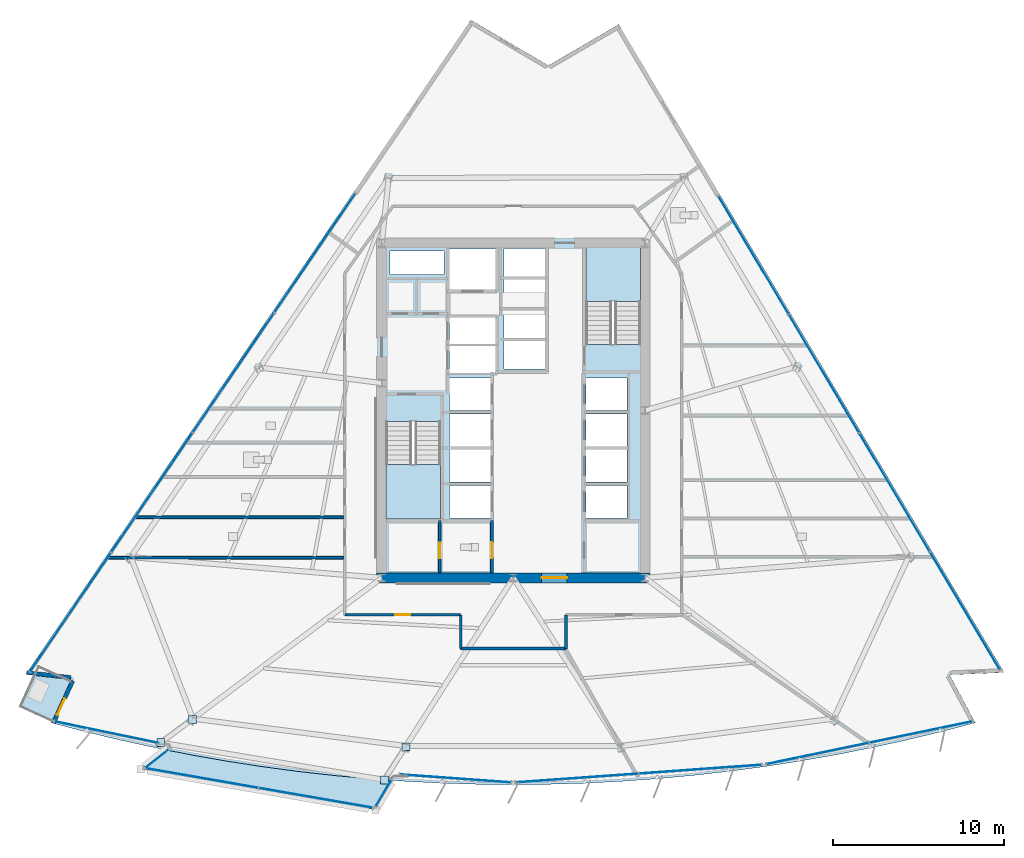
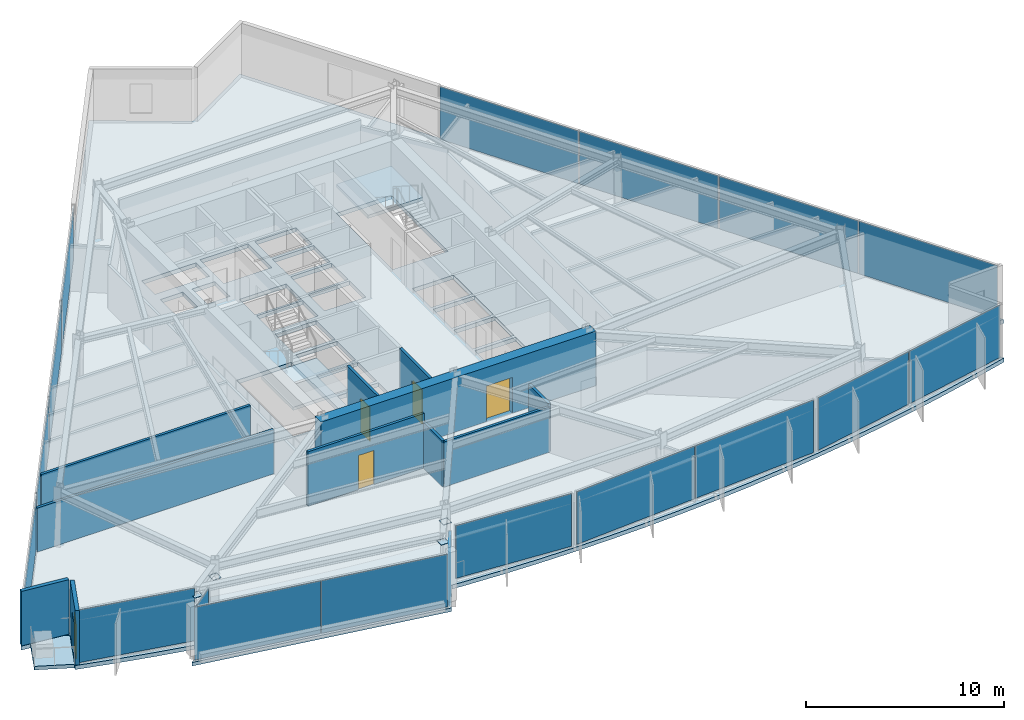
# One storey, part 7 of 15: 22 plates, 11 walls, 5 doors, 5 slabs, 5 openings, 11 elements without a shape of their own.
"""IFC4 building model written with IfcOpenShell, lengths in metres."""

from ifc_helpers import new_model, si_unit, direction, frame, frame_2d, origin, origin_2d, place, context, subcontext, project, spatial, polyline, rectangle, outline, extrude, material, layer, layer_set, type_object, element, fill, aggregate, save


model = new_model("IFC4")

# Units and contexts
model_context = context("Model", 3, precision=1e-05, world=origin(), true_north=direction((0.0, 1.0)))
body_context = subcontext(model_context, "Body", "Model", "MODEL_VIEW")
ifc_project = project(units=[si_unit("LENGTHUNIT", "METRE"), si_unit("AREAUNIT", "SQUARE_METRE"), si_unit("VOLUMEUNIT", "CUBIC_METRE"), si_unit("PLANEANGLEUNIT", "RADIAN"), si_unit("MASSUNIT", "GRAM", prefix="KILO")], contexts=[model_context])

# Site, building, storey
site_placement = place(None, origin())
site = spatial("IfcSite", under=ifc_project, at=site_placement, CompositionType="ELEMENT")
building_placement = place(site_placement, origin())
building = spatial("IfcBuilding", under=site, at=building_placement, Name="Savorim Split Tower", CompositionType="ELEMENT")
storey_placement = place(building_placement, frame((0.0, 0.0, 104.10009765625)))
storey = spatial("IfcBuildingStorey", under=building, at=storey_placement, Name="L27", CompositionType="ELEMENT", Elevation=104.10009765625)

# Curtain wall, plate
ifc_material_1 = material(Name="Dark Ceramic-Fritted Insulated Glass", Category="glass")
curtain_wall_type_1 = type_object("IfcCurtainWallType", Name="CW-TWR-FRIT-A", PredefinedType="NOTDEFINED", material=ifc_material_1)
curtain_wall_1_placement = place(storey_placement, origin())
curtain_wall_1 = element("IfcCurtainWall", 1, at=curtain_wall_1_placement, inside=storey, type_object=curtain_wall_type_1, Name="L27 Curtain Wall CW-L27-SF1A", PredefinedType="NOTDEFINED")
ifc_layer_1 = layer(ifc_material_1, 0.028076171875)
ifc_layer_set_1 = layer_set([ifc_layer_1], Name="CWP-FRITA-28")
plate_type_1 = type_object("IfcPlateType", Name="CWP-FRITA-28", PredefinedType="CURTAIN_PANEL", material=ifc_layer_set_1)
plate_1_placement = place(storey_placement, frame((-23.8056640625, -18.43115234375, 0.0546875), z_axis=(0.0, 0.0, 1.0), x_axis=(0.979133423629, -0.20321845077, 0.0)))
plate_1 = element("IfcPlate", 2, at=plate_1_placement, type_object=plate_type_1, Name="CW-02 panel 1.1", PredefinedType="CURTAIN_PANEL", context=body_context, shape_type="SweptSolid", body=[
    extrude(rectangle(XDim=6.22021484375, YDim=0.028076171875, at=origin_2d()), origin(), (0.0, 0.0, 1.0), 3.239990234375),
])
aggregate(curtain_wall_1, [plate_1])

curtain_wall_2_placement = place(storey_placement, origin())
curtain_wall_2 = element("IfcCurtainWall", 3, at=curtain_wall_2_placement, inside=storey, type_object=curtain_wall_type_1, Name="L27 Curtain Wall CW-L27-SF2A", PredefinedType="NOTDEFINED")
plate_2_placement = place(storey_placement, frame((-3.3857421875, -21.1376953125, 0.0546875), z_axis=(0.0, 0.0, 1.0), x_axis=(0.997435673232, -0.071568692624, 0.0)))
plate_2 = element("IfcPlate", 4, at=plate_2_placement, type_object=plate_type_1, Name="CW-02 panel 1.1", PredefinedType="CURTAIN_PANEL", context=body_context, shape_type="SweptSolid", body=[
    extrude(rectangle(XDim=6.476318359375, YDim=0.028076171875, at=origin_2d()), origin(), (0.0, 0.0, 1.0), 3.239990234375),
])
aggregate(curtain_wall_2, [plate_2])

# Curtain wall, plates
curtain_wall_3_placement = place(storey_placement, origin())
curtain_wall_3 = element("IfcCurtainWall", 5, at=curtain_wall_3_placement, inside=storey, type_object=curtain_wall_type_1, Name="L27 Curtain Wall CW-L27-SF3A", PredefinedType="NOTDEFINED")
plate_3_placement = place(storey_placement, frame((3.727783203125, -21.113037109375, 0.0546875), z_axis=(0.0, 0.0, 1.0), x_axis=(0.99743613418, 0.071562268211, 0.0)))
plate_3 = element("IfcPlate", 6, at=plate_3_placement, type_object=plate_type_1, Name="CW-02 panel 1.1", PredefinedType="CURTAIN_PANEL", context=body_context, shape_type="SweptSolid", body=[
    extrude(rectangle(XDim=7.161865234375, YDim=0.028076171875, at=origin_2d()), origin(), (0.0, 0.0, 1.0), 3.239990234375),
])
plate_4_placement = place(storey_placement, frame((10.936279296875, -20.595947265625, 0.0546875), z_axis=(0.0, 0.0, 1.0), x_axis=(0.99743613418, 0.071562268211, 0.0)))
plate_4 = element("IfcPlate", 7, at=plate_4_placement, type_object=plate_type_1, Name="CW-02 panel 2.1", PredefinedType="CURTAIN_PANEL", context=body_context, shape_type="SweptSolid", body=[
    extrude(rectangle(XDim=7.161865234375, YDim=0.028076171875, at=origin_2d()), origin(), (0.0, 0.0, 1.0), 3.239990234375),
])
aggregate(curtain_wall_3, [plate_3, plate_4])

curtain_wall_4_placement = place(storey_placement, origin())
curtain_wall_4 = element("IfcCurtainWall", 8, at=curtain_wall_4_placement, inside=storey, type_object=curtain_wall_type_1, Name="L27 Curtain Wall CW-L27-SF4A", PredefinedType="NOTDEFINED")
plate_5_placement = place(storey_placement, frame((17.810546875, -19.675537109375, 0.0546875), z_axis=(0.0, 0.0, 1.0), x_axis=(0.979134683898, 0.203212378529, 0.0)))
plate_5 = element("IfcPlate", 9, at=plate_5_placement, type_object=plate_type_1, Name="CW-02 panel 1.1", PredefinedType="CURTAIN_PANEL", context=body_context, shape_type="SweptSolid", body=[
    extrude(rectangle(XDim=6.112060546875, YDim=0.028076171875, at=origin_2d()), origin(), (0.0, 0.0, 1.0), 3.239990234375),
])
plate_6_placement = place(storey_placement, frame((23.858642578125, -18.420166015625, 0.0546875), z_axis=(0.0, 0.0, 1.0), x_axis=(0.979134683898, 0.203212378529, 0.0)))
plate_6 = element("IfcPlate", 10, at=plate_6_placement, type_object=plate_type_1, Name="CW-02 panel 2.1", PredefinedType="CURTAIN_PANEL", context=body_context, shape_type="SweptSolid", body=[
    extrude(rectangle(XDim=6.112060546875, YDim=0.028076171875, at=origin_2d()), origin(), (0.0, 0.0, 1.0), 3.239990234375),
])
aggregate(curtain_wall_4, [plate_5, plate_6])

curtain_wall_5_placement = place(storey_placement, origin())
curtain_wall_5 = element("IfcCurtainWall", 11, at=curtain_wall_5_placement, inside=storey, type_object=curtain_wall_type_1, Name="L27 Curtain Wall CW-L27-EAST", PredefinedType="NOTDEFINED")
plate_7_placement = place(storey_placement, frame((26.423583984375, -11.32275390625, 0.0546875), z_axis=(0.0, 0.0, 1.0), x_axis=(-0.511094481315, 0.859524537852, 0.0)))
plate_7 = element("IfcPlate", 12, at=plate_7_placement, type_object=plate_type_1, Name="CW-02 panel 1.1", PredefinedType="CURTAIN_PANEL", context=body_context, shape_type="SweptSolid", body=[
    extrude(rectangle(XDim=7.983154296875, YDim=0.028076171875, at=origin_2d()), origin(), (0.0, 0.0, 1.0), 3.239990234375),
])
plate_8_placement = place(storey_placement, frame((22.3017578125, -4.39111328125, 0.0546875), z_axis=(0.0, 0.0, 1.0), x_axis=(-0.511094481315, 0.859524537852, 0.0)))
plate_8 = element("IfcPlate", 13, at=plate_8_placement, type_object=plate_type_1, Name="CW-02 panel 2.1", PredefinedType="CURTAIN_PANEL", context=body_context, shape_type="SweptSolid", body=[
    extrude(rectangle(XDim=8.015625, YDim=0.028076171875, at=origin_2d()), origin(), (0.0, 0.0, 1.0), 3.239990234375),
])
plate_9_placement = place(storey_placement, frame((18.171630859375, 2.554443359375, 0.0546875), z_axis=(0.0, 0.0, 1.0), x_axis=(-0.511094481315, 0.859524537852, 0.0)))
plate_9 = element("IfcPlate", 14, at=plate_9_placement, type_object=plate_type_1, Name="CW-02 panel 3.1", PredefinedType="CURTAIN_PANEL", context=body_context, shape_type="SweptSolid", body=[
    extrude(rectangle(XDim=8.015625, YDim=0.028076171875, at=origin_2d()), origin(), (0.0, 0.0, 1.0), 3.239990234375),
])
plate_10_placement = place(storey_placement, frame((14.050048828125, 9.486083984375, 0.0546875), z_axis=(0.0, 0.0, 1.0), x_axis=(-0.511094481315, 0.859524537852, 0.0)))
plate_10 = element("IfcPlate", 15, at=plate_10_placement, type_object=plate_type_1, Name="CW-02 panel 4.1", PredefinedType="CURTAIN_PANEL", context=body_context, shape_type="SweptSolid", body=[
    extrude(rectangle(XDim=7.983154296875, YDim=0.028076171875, at=origin_2d()), origin(), (0.0, 0.0, 1.0), 3.239990234375),
])
aggregate(curtain_wall_5, [plate_7, plate_8, plate_9, plate_10])

curtain_wall_6_placement = place(storey_placement, origin())
curtain_wall_6 = element("IfcCurtainWall", 16, at=curtain_wall_6_placement, inside=storey, type_object=curtain_wall_type_1, Name="L27 Curtain Wall CW-L27-WEST", PredefinedType="NOTDEFINED")
plate_11_placement = place(storey_placement, frame((-11.61328125, 9.613525390625, 0.0546875), z_axis=(0.0, 0.0, 1.0), x_axis=(-0.562467515846, -0.826819383915, 0.0)))
plate_11 = element("IfcPlate", 17, at=plate_11_placement, type_object=plate_type_1, Name="CW-02 panel 1.1", PredefinedType="CURTAIN_PANEL", context=body_context, shape_type="SweptSolid", body=[
    extrude(rectangle(XDim=8.39013671875, YDim=0.028076171875, at=origin_2d()), origin(), (0.0, 0.0, 1.0), 3.239990234375),
])
plate_12_placement = place(storey_placement, frame((-16.378173828125, 2.609375, 0.0546875), z_axis=(0.0, 0.0, 1.0), x_axis=(-0.562467515846, -0.826819383915, 0.0)))
plate_12 = element("IfcPlate", 18, at=plate_12_placement, type_object=plate_type_1, Name="CW-02 panel 2.1", PredefinedType="CURTAIN_PANEL", context=body_context, shape_type="SweptSolid", body=[
    extrude(rectangle(XDim=8.422607421875, YDim=0.028076171875, at=origin_2d()), origin(), (0.0, 0.0, 1.0), 3.239990234375),
])
plate_13_placement = place(storey_placement, frame((-21.15234375, -4.408447265625, 0.0546875), z_axis=(0.0, 0.0, 1.0), x_axis=(-0.562467515846, -0.826819383915, 0.0)))
plate_13 = element("IfcPlate", 19, at=plate_13_placement, type_object=plate_type_1, Name="CW-02 panel 3.1", PredefinedType="CURTAIN_PANEL", context=body_context, shape_type="SweptSolid", body=[
    extrude(rectangle(XDim=8.422607421875, YDim=0.028076171875, at=origin_2d()), origin(), (0.0, 0.0, 1.0), 3.239990234375),
])
plate_14_placement = place(storey_placement, frame((-25.917236328125, -11.412841796875, 0.0546875), z_axis=(0.0, 0.0, 1.0), x_axis=(-0.562467515846, -0.826819383915, 0.0)))
plate_14 = element("IfcPlate", 20, at=plate_14_placement, type_object=plate_type_1, Name="CW-02 panel 4.1", PredefinedType="CURTAIN_PANEL", context=body_context, shape_type="SweptSolid", body=[
    extrude(rectangle(XDim=8.39013671875, YDim=0.028076171875, at=origin_2d()), origin(), (0.0, 0.0, 1.0), 3.239990234375),
])
aggregate(curtain_wall_6, [plate_11, plate_12, plate_13, plate_14])

curtain_wall_type_2 = type_object("IfcCurtainWallType", Name="CW-BAY-LOUNGE", PredefinedType="NOTDEFINED", material=ifc_material_1)
curtain_wall_7_placement = place(storey_placement, origin())
curtain_wall_7 = element("IfcCurtainWall", 21, at=curtain_wall_7_placement, inside=storey, type_object=curtain_wall_type_2, Name="L27 Curtain Wall CW-L27-BAYF", PredefinedType="NOTDEFINED")
ifc_material_2 = material(Name="Low-E Operable Double Glazing", Category="glass")
ifc_layer_2 = layer(ifc_material_2, 0.031982421875)
ifc_layer_set_2 = layer_set([ifc_layer_2], Name="CWP-POD-32")
plate_type_2 = type_object("IfcPlateType", Name="CWP-POD-32", PredefinedType="CURTAIN_PANEL", material=ifc_layer_set_2)
plate_15_placement = place(storey_placement, frame((-18.27587890625, -21.107421875, 0.0546875), z_axis=(0.0, 0.0, 1.0), x_axis=(0.985237783322, -0.171191443463, 0.0)))
plate_15 = element("IfcPlate", 22, at=plate_15_placement, type_object=plate_type_2, Name="CW-04 panel 1.1", PredefinedType="CURTAIN_PANEL", context=body_context, shape_type="SweptSolid", body=[
    extrude(rectangle(XDim=6.75146484375, YDim=0.031982421875, at=origin_2d()), origin(), (0.0, 0.0, 1.0), 3.239990234375),
])
plate_16_placement = place(storey_placement, frame((-11.56005859375, -22.2744140625, 0.0546875), z_axis=(0.0, 0.0, 1.0), x_axis=(0.985237783322, -0.171191443463, 0.0)))
plate_16 = element("IfcPlate", 23, at=plate_16_placement, type_object=plate_type_2, Name="CW-04 panel 2.1", PredefinedType="CURTAIN_PANEL", context=body_context, shape_type="SweptSolid", body=[
    extrude(rectangle(XDim=6.75146484375, YDim=0.031982421875, at=origin_2d()), origin(), (0.0, 0.0, 1.0), 3.239990234375),
])
aggregate(curtain_wall_7, [plate_15, plate_16])

# Curtain wall, plate
curtain_wall_8_placement = place(storey_placement, origin())
curtain_wall_8 = element("IfcCurtainWall", 24, at=curtain_wall_8_placement, inside=storey, type_object=curtain_wall_type_2, Name="L27 Curtain Wall CW-L27-BAYW", PredefinedType="NOTDEFINED")
plate_17_placement = place(storey_placement, frame((-20.85986328125, -19.976806640625, 0.0546875), z_axis=(0.0, 0.0, 1.0), x_axis=(-0.783170949136, -0.621806452547, 0.0)))
plate_17 = element("IfcPlate", 25, at=plate_17_placement, type_object=plate_type_2, Name="CW-04 panel 1.1", PredefinedType="CURTAIN_PANEL", context=body_context, shape_type="SweptSolid", body=[
    extrude(rectangle(XDim=1.705078125, YDim=0.031982421875, at=origin_2d()), origin(), (0.0, 0.0, 1.0), 3.239990234375),
])
aggregate(curtain_wall_8, [plate_17])

curtain_wall_9_placement = place(storey_placement, origin())
curtain_wall_9 = element("IfcCurtainWall", 26, at=curtain_wall_9_placement, inside=storey, type_object=curtain_wall_type_2, Name="L27 Curtain Wall CW-L27-BAYE", PredefinedType="NOTDEFINED")
plate_18_placement = place(storey_placement, frame((-7.6083984375, -22.01171875, 0.0546875), z_axis=(0.0, 0.0, 1.0), x_axis=(0.510761442098, 0.859722483867, 0.0)))
plate_18 = element("IfcPlate", 27, at=plate_18_placement, type_object=plate_type_2, Name="CW-04 panel 1.1", PredefinedType="CURTAIN_PANEL", context=body_context, shape_type="SweptSolid", body=[
    extrude(rectangle(XDim=1.81005859375, YDim=0.031982421875, at=origin_2d()), origin(), (0.0, 0.0, 1.0), 3.239990234375),
])
aggregate(curtain_wall_9, [plate_18])

# Plates
ifc_material_3 = material(Name="Steel S460", Category="steel")
ifc_layer_3 = layer(ifc_material_3, 0.02490234375)
ifc_layer_set_3 = layer_set([ifc_layer_3], Name="PLT-NODE-CN1")
plate_type_3 = type_object("IfcPlateType", Name="PLT-NODE-CN1", PredefinedType="SHEET", material=ifc_layer_set_3)
for number, where, z_axis, x_axis, name in (
    (28, (-18.77490234375, -17.676513671875, 2.4375), (0.0, 0.0, 1.0), (1.0, 0.0, 0.0), "L27 Bay Strut Column Gusset Plate 1"),
    (29, (-20.63525390625, -19.04248046875, 2.807373046875), (0.0, 0.0, 1.0), (1.0, 0.0, 0.0), "L27 Bay Strut Tip Gusset Plate 1"),
    (30, (-6.29248046875, -19.279052734375, 2.4375), (0.0, 0.0, 1.0), (1.0, 0.0, 0.0), "L27 Bay Strut Column Gusset Plate 2"),
    (31, (-7.549560546875, -21.218994140625, 2.807373046875), (0.0, 0.0, 1.0), (1.0, 0.0, 0.0), "L27 Bay Strut Tip Gusset Plate 2"),
):
    element("IfcPlate", number, at=place(storey_placement, frame(where, z_axis=z_axis, x_axis=x_axis)), inside=storey, type_object=plate_type_3, Name=name, PredefinedType="SHEET", context=body_context, shape_type="SweptSolid", body=[
        extrude(rectangle(XDim=0.4599609375, YDim=0.4599609375, at=origin_2d()), origin(), (0.0, 0.0, 1.0), 0.02490234375),
    ])

# Slabs
ifc_material_4 = material(Name="Concrete C50/60", Category="concrete")
ifc_layer_4 = layer(ifc_material_4, 0.219970703125)
ifc_layer_set_4 = layer_set([ifc_layer_4], Name="SLB-BAL-220")
slab_type_1 = type_object("IfcSlabType", Name="SLB-BAL-220", PredefinedType="FLOOR", material=ifc_layer_set_4)
slab_1_placement = place(storey_placement, frame((0.0, 0.0, -0.22021484375)))
element("IfcSlab", 32, at=slab_1_placement, inside=storey, type_object=slab_type_1, Name="L27 Cantilevered Shared Kitchen Lounge Slab", PredefinedType="FLOOR", context=body_context, shape_type="SweptSolid", body=[
    extrude(outline(polyline([(-7.042236328125, -21.25439453125), (-8.40869140625, -21.156494140625), (-10.504150390625, -20.962890625), (-12.59521484375, -20.7265625), (-14.68115234375, -20.447509765625), (-16.7607421875, -20.125732421875), (-18.83349609375, -19.76171875), (-20.368896484375, -19.459228515625), (-21.80126953125, -20.596435546875), (-8.06884765625, -22.982666015625), (-7.042236328125, -21.25439453125)])), origin(), (0.0, 0.0, 1.0), 0.22021484375),
])
slab_2_placement = place(storey_placement, frame((0.0, 0.0, -0.22021484375)))
element("IfcSlab", 33, at=slab_2_placement, inside=storey, type_object=slab_type_1, Name="L27 Notched Corner Planted Tree Balcony Slab", PredefinedType="FLOOR", context=body_context, shape_type="SweptSolid", body=[
    extrude(outline(polyline([(-26.9912109375, -17.772216796875), (-25.92626953125, -15.4541015625), (-26.23681640625, -15.311279296875), (-28.019775390625, -15.1123046875), (-28.849609375, -16.918212890625), (-26.9912109375, -17.772216796875)])), origin(), (0.0, 0.0, 1.0), 0.22021484375),
])

# Stair, slab
stair_type = type_object("IfcStairType", Name="STR-DOG-3600", PredefinedType="HALF_TURN_STAIR", material=ifc_material_4)
stair_1_placement = place(storey_placement, origin())
stair_1 = element("IfcStair", 34, at=stair_1_placement, inside=storey, type_object=stair_type, Name="L27 Core Protected Exit Stair ST-1", PredefinedType="HALF_TURN_STAIR")
ifc_layer_5 = layer(ifc_material_4, 0.199951171875)
ifc_layer_set_5 = layer_set([ifc_layer_5], Name="SLB-LND-200")
slab_type_2 = type_object("IfcSlabType", Name="SLB-LND-200", PredefinedType="LANDING", material=ifc_layer_set_5)
slab_3_placement = place(storey_placement, frame((0.0, 0.0, 1.599853515625)))
slab_3 = element("IfcSlab", 35, at=slab_3_placement, type_object=slab_type_2, Name="ST-1 landing 1", PredefinedType="LANDING", context=body_context, shape_type="SweptSolid", body=[
    extrude(outline(polyline([(-7.449951171875, -2.77001953125), (-7.449951171875, -5.949951171875), (-4.25, -5.949951171875), (-4.25, -2.77001953125), (-7.449951171875, -2.77001953125)])), origin(), (0.0, 0.0, 1.0), 0.199951171875),
])
aggregate(stair_1, [slab_3])

stair_2_placement = place(storey_placement, origin())
stair_2 = element("IfcStair", 36, at=stair_2_placement, inside=storey, type_object=stair_type, Name="L27 Core Protected Exit Stair ST-2", PredefinedType="HALF_TURN_STAIR")
slab_4_placement = place(storey_placement, frame((0.0, 0.0, 1.599853515625)))
slab_4 = element("IfcSlab", 37, at=slab_4_placement, type_object=slab_type_2, Name="ST-2 landing 1", PredefinedType="LANDING", context=body_context, shape_type="SweptSolid", body=[
    extrude(outline(polyline([(7.449951171875, 6.77001953125), (7.449951171875, 9.949951171875), (4.25, 9.949951171875), (4.25, 6.77001953125), (7.449951171875, 6.77001953125)])), origin(), (0.0, 0.0, 1.0), 0.199951171875),
])
aggregate(stair_2, [slab_4])

# Slab
ifc_layer_6 = layer(ifc_material_4, 0.25)
ifc_layer_set_6 = layer_set([ifc_layer_6], Name="SLB-TWR-250")
slab_type_3 = type_object("IfcSlabType", Name="SLB-TWR-250", PredefinedType="FLOOR", material=ifc_layer_set_6)
slab_5_placement = place(storey_placement, frame((0.0, 0.0, -0.25)))
element("IfcSlab", 38, at=slab_5_placement, inside=storey, type_object=slab_type_3, Name="L27 Structural Floor Slab", PredefinedType="FLOOR", context=body_context, shape_type="SweptSolid", body=[
    extrude(outline(polyline([(-27.036865234375, -17.88330078125), (-25.000732421875, -18.415771484375), (-22.954345703125, -18.90625), (-20.898193359375, -19.35498046875), (-18.83349609375, -19.76171875), (-16.7607421875, -20.125732421875), (-14.68115234375, -20.447509765625), (-12.59521484375, -20.7265625), (-10.504150390625, -20.962890625), (-8.40869140625, -21.156494140625), (-6.3095703125, -21.30712890625), (-4.207763671875, -21.414794921875), (-2.104248046875, -21.479248046875), (0.0, -21.500732421875), (2.104248046875, -21.479248046875), (4.207763671875, -21.414794921875), (6.3095703125, -21.30712890625), (8.40869140625, -21.156494140625), (10.504150390625, -20.962890625), (12.59521484375, -20.7265625), (14.68115234375, -20.447509765625), (16.7607421875, -20.125732421875), (18.83349609375, -19.76171875), (20.898193359375, -19.35498046875), (22.954345703125, -18.90625), (25.000732421875, -18.415771484375), (27.036865234375, -17.88330078125), (25.52880859375, -15.072998046875), (28.71240234375, -14.9375), (6.1630859375, 22.984619140625), (2.046875, 20.585693359375), (-2.4833984375, 23.248046875), (-28.536376953125, -15.049560546875), (-25.87158203125, -15.34716796875), (-27.036865234375, -17.88330078125)]), holes=[polyline([(-7.449951171875, -0.25390625), (-7.449951171875, -5.949951171875), (-4.25, -5.949951171875), (-4.25, -0.25390625), (-7.449951171875, -0.25390625)]), polyline([(7.449951171875, 4.25390625), (7.449951171875, 9.949951171875), (4.25, 9.949951171875), (4.25, 4.25390625), (7.449951171875, 4.25390625)]), polyline([(4.25, -5.89990234375), (6.64990234375, -5.89990234375), (6.64990234375, -4.0), (4.25, -4.0), (4.25, -5.89990234375)]), polyline([(4.25, -3.800048828125), (6.64990234375, -3.800048828125), (6.64990234375, -1.89990234375), (4.25, -1.89990234375), (4.25, -3.800048828125)]), polyline([(4.25, -1.699951171875), (6.64990234375, -1.699951171875), (6.64990234375, 0.199951171875), (4.25, 0.199951171875), (4.25, -1.699951171875)]), polyline([(4.25, 0.39990234375), (6.64990234375, 0.39990234375), (6.64990234375, 2.300048828125), (4.25, 2.300048828125), (4.25, 0.39990234375)]), polyline([(-3.75, -5.89990234375), (-1.35009765625, -5.89990234375), (-1.35009765625, -4.0), (-3.75, -4.0), (-3.75, -5.89990234375)]), polyline([(-3.75, -3.800048828125), (-1.35009765625, -3.800048828125), (-1.35009765625, -1.89990234375), (-3.75, -1.89990234375), (-3.75, -3.800048828125)]), polyline([(-3.75, -1.699951171875), (-1.35009765625, -1.699951171875), (-1.35009765625, 0.199951171875), (-3.75, 0.199951171875), (-3.75, -1.699951171875)]), polyline([(-3.75, 0.39990234375), (-1.35009765625, 0.39990234375), (-1.35009765625, 2.300048828125), (-3.75, 2.300048828125), (-3.75, 0.39990234375)]), polyline([(-0.550048828125, 2.830078125), (1.85009765625, 2.830078125), (1.85009765625, 4.469970703125), (-0.550048828125, 4.469970703125), (-0.550048828125, 2.830078125)]), polyline([(-0.550048828125, 4.6298828125), (1.85009765625, 4.6298828125), (1.85009765625, 6.27001953125), (-0.550048828125, 6.27001953125), (-0.550048828125, 4.6298828125)]), polyline([(-0.550048828125, 6.429931640625), (1.85009765625, 6.429931640625), (1.85009765625, 8.070068359375), (-0.550048828125, 8.070068359375), (-0.550048828125, 6.429931640625)]), polyline([(-0.550048828125, 8.22998046875), (1.85009765625, 8.22998046875), (1.85009765625, 9.8701171875), (-0.550048828125, 9.8701171875), (-0.550048828125, 8.22998046875)]), polyline([(-3.75, 2.60009765625), (-1.050048828125, 2.60009765625), (-1.050048828125, 4.159912109375), (-3.75, 4.159912109375), (-3.75, 2.60009765625)]), polyline([(-3.75, 4.280029296875), (-1.050048828125, 4.280029296875), (-1.050048828125, 5.840087890625), (-3.75, 5.840087890625), (-3.75, 4.280029296875)]), polyline([(-3.75, 7.449951171875), (-0.949951171875, 7.449951171875), (-0.949951171875, 9.85009765625), (-3.75, 9.85009765625), (-3.75, 7.449951171875)]), polyline([(-7.219970703125, 6.320068359375), (-5.919921875, 6.320068359375), (-5.919921875, 7.820068359375), (-7.219970703125, 7.820068359375), (-7.219970703125, 6.320068359375)]), polyline([(-5.3798828125, 6.320068359375), (-4.050048828125, 6.320068359375), (-4.050048828125, 7.820068359375), (-5.3798828125, 7.820068359375), (-5.3798828125, 6.320068359375)]), polyline([(-7.219970703125, 8.360107421875), (-4.050048828125, 8.360107421875), (-4.050048828125, 9.719970703125), (-7.219970703125, 9.719970703125), (-7.219970703125, 8.360107421875)])]), origin(), (0.0, 0.0, 1.0), 0.25),
])

# Wall, opening, door
ifc_material_5 = material(Name="Concrete C60/75", Category="concrete")
ifc_layer_7 = layer(ifc_material_5, 0.60009765625)
ifc_layer_set_7 = layer_set([ifc_layer_7], Name="WAL-COR-SH600")
wall_type_1 = type_object("IfcWallType", Name="WAL-COR-SH600", PredefinedType="SHEAR", material=ifc_layer_set_7)
wall_1_placement = place(storey_placement, frame((-8.0, -9.39990234375, 0.0), z_axis=(0.0, 0.0, 1.0), x_axis=(1.0, 0.0, 0.0)))
wall_1 = element("IfcWall", 39, at=wall_1_placement, inside=storey, type_object=wall_type_1, Name="L27 Offset Core South Shear Wall", PredefinedType="SHEAR", context=body_context, shape_type="SweptSolid", body=[
    extrude(rectangle(XDim=16.0, YDim=0.60009765625, at=frame_2d((8.0, 0.0))), origin(), (0.0, 0.0, 1.0), 3.349853515625),
])
opening_1_placement = place(wall_1_placement, frame((9.64990234375, 0.0, 0.0)))
opening_1 = element("IfcOpeningElement", 40, at=opening_1_placement, cuts=wall_1, Name="Opening DI-02", PredefinedType="OPENING", context=body_context, shape_type="SweptSolid", body=[
    extrude(rectangle(XDim=1.5, YDim=2.199951171875, at=frame_2d((0.75, 1.10009765625))), frame((0.0, 0.31005859375, 0.0), z_axis=(0.0, -1.0, 0.0), x_axis=(1.0, 0.0, 0.0)), (0.0, 0.0, 1.0), 0.6201171875),
])
ifc_material_6 = material(Name="Timber Fire Door Leaf", Category="wood")
door_type_1 = type_object("IfcDoorType", Name="DOR-DBL-1500", OperationType="NOTDEFINED", PredefinedType="DOOR", material=ifc_material_6)
door_1_placement = place(opening_1_placement, origin())
door_1 = element("IfcDoor", 41, at=door_1_placement, inside=storey, type_object=door_type_1, Name="DOR-L27-COR-LLOB - L27 Lift Lobby Main Rated Door", OperationType="DOUBLE_DOOR_SINGLE_SWING", OverallHeight=2.199951171875, OverallWidth=1.5, PredefinedType="DOOR", context=body_context, shape_type="SweptSolid", body=[
    extrude(rectangle(XDim=1.5, YDim=2.199951171875, at=frame_2d((0.75, 1.10009765625))), frame((0.0, 0.02490234375, 0.0), z_axis=(0.0, -1.0, 0.0), x_axis=(1.0, 0.0, 0.0)), (0.0, 0.0, 1.0), 0.050048828125),
])
fill(opening_1, door_1)

# Wall
ifc_material_7 = material(Name="Precast concrete C40/50", Category="concrete")
ifc_layer_8 = layer(ifc_material_7, 0.219970703125)
ifc_layer_set_8 = layer_set([ifc_layer_8], Name="WAL-EXT-CRN220")
wall_type_2 = type_object("IfcWallType", Name="WAL-EXT-CRN220", PredefinedType="SOLIDWALL", material=ifc_layer_set_8)
wall_2_placement = place(storey_placement, frame((-25.89794921875, -15.223388671875, 0.0), z_axis=(0.0, 0.0, 1.0), x_axis=(-0.993827522589, 0.110936267041, 0.0)))
element("IfcWall", 42, at=wall_2_placement, inside=storey, type_object=wall_type_2, Name="L27 Notched Corner Facade Wall SW1", PredefinedType="SOLIDWALL", context=body_context, shape_type="SweptSolid", body=[
    extrude(rectangle(XDim=2.601318359375, YDim=0.219970703125, at=frame_2d((1.30078125, 0.0))), origin(), (0.0, 0.0, 1.0), 3.349853515625),
])

# Wall, opening, door
wall_3_placement = place(storey_placement, frame((-26.9111328125, -17.89697265625, 0.0), z_axis=(0.0, 0.0, 1.0), x_axis=(0.417504190978, 0.908674997189, 0.0)))
wall_3 = element("IfcWall", 43, at=wall_3_placement, inside=storey, type_object=wall_type_2, Name="L27 Notched Corner Facade Wall SW", PredefinedType="SOLIDWALL", context=body_context, shape_type="SweptSolid", body=[
    extrude(rectangle(XDim=2.7109375, YDim=0.219970703125, at=frame_2d((1.35546875, 0.0))), origin(), (0.0, 0.0, 1.0), 3.349853515625),
])
opening_2_placement = place(wall_3_placement, frame((0.530517578125, 0.0, 0.0)))
opening_2 = element("IfcOpeningElement", 44, at=opening_2_placement, cuts=wall_3, Name="Opening DB-01", PredefinedType="OPENING", context=body_context, shape_type="SweptSolid", body=[
    extrude(rectangle(XDim=1.050048828125, YDim=2.14990234375, at=frame_2d((0.52490234375, 1.074951171875))), frame((0.0, 0.119873046875, 0.0), z_axis=(0.0, -1.0, 0.0), x_axis=(1.0, 0.0, 0.0)), (0.0, 0.0, 1.0), 0.239990234375),
])
ifc_material_8 = material(Name="Charcoal Anodised Aluminium", Category="aluminium")
door_type_2 = type_object("IfcDoorType", Name="DOR-BAL-1050", OperationType="NOTDEFINED", PredefinedType="DOOR", material=ifc_material_8)
door_2_placement = place(opening_2_placement, origin())
door_2 = element("IfcDoor", 45, at=door_2_placement, inside=storey, type_object=door_type_2, Name="DOR-L27-TBAL-SW - L27 Planted Tree Balcony Door SW", OperationType="SINGLE_SWING_RIGHT", OverallHeight=2.14990234375, OverallWidth=1.050048828125, PredefinedType="DOOR", context=body_context, shape_type="SweptSolid", body=[
    extrude(rectangle(XDim=1.050048828125, YDim=2.14990234375, at=frame_2d((0.52490234375, 1.074951171875))), frame((0.0, 0.02490234375, 0.0), z_axis=(0.0, -1.0, 0.0), x_axis=(1.0, 0.0, 0.0)), (0.0, 0.0, 1.0), 0.050048828125),
])
fill(opening_2, door_2)

ifc_material_9 = material(Name="Acoustic Gypsum Partition Board")
ifc_layer_9 = layer(ifc_material_9, 0.14990234375)
ifc_layer_set_9 = layer_set([ifc_layer_9], Name="WAL-PAR-150")
wall_type_3 = type_object("IfcWallType", Name="WAL-PAR-150", PredefinedType="PARTITIONING", material=ifc_layer_set_9)
wall_4_placement = place(storey_placement, frame((-1.25, -9.094970703125, 0.0), z_axis=(0.0, 0.0, 1.0), x_axis=(0.0, 1.0, 0.0)))
wall_4 = element("IfcWall", 46, at=wall_4_placement, inside=storey, type_object=wall_type_3, Name="L27 Partition W-L27-KLOB-W", PredefinedType="PARTITIONING", context=body_context, shape_type="SweptSolid", body=[
    extrude(rectangle(XDim=3.044921875, YDim=0.14990234375, at=frame_2d((1.5224609375, 0.0))), origin(), (0.0, 0.0, 1.0), 3.349853515625),
])
opening_3_placement = place(wall_4_placement, frame((0.844970703125, 0.0, 0.0)))
opening_3 = element("IfcOpeningElement", 47, at=opening_3_placement, cuts=wall_4, Name="Opening DI-10", PredefinedType="OPENING", context=body_context, shape_type="SweptSolid", body=[
    extrude(rectangle(XDim=0.949951171875, YDim=2.10009765625, at=frame_2d((0.47509765625, 1.050048828125))), frame((0.0, 0.0849609375, 0.0), z_axis=(0.0, -1.0, 0.0), x_axis=(1.0, 0.0, 0.0)), (0.0, 0.0, 1.0), 0.169921875),
])
ifc_material_10 = material(Name="Oak Veneer Acoustic Door")
door_type_3 = type_object("IfcDoorType", Name="DOR-WC-950", OperationType="NOTDEFINED", PredefinedType="DOOR", material=ifc_material_10)
door_3_placement = place(opening_3_placement, origin())
door_3 = element("IfcDoor", 48, at=door_3_placement, inside=storey, type_object=door_type_3, Name="DR-L27-K1WC - L27 Core Accessible WC Door", OperationType="SINGLE_SWING_LEFT", OverallHeight=2.10009765625, OverallWidth=0.949951171875, PredefinedType="DOOR", context=body_context, shape_type="SweptSolid", body=[
    extrude(rectangle(XDim=0.949951171875, YDim=2.10009765625, at=frame_2d((0.47509765625, 1.050048828125))), frame((0.0, 0.02490234375, 0.0), z_axis=(0.0, -1.0, 0.0), x_axis=(1.0, 0.0, 0.0)), (0.0, 0.0, 1.0), 0.050048828125),
])
fill(opening_3, door_3)

wall_5_placement = place(storey_placement, frame((-4.300048828125, -9.094970703125, 0.0), z_axis=(0.0, 0.0, 1.0), x_axis=(0.0, 1.0, 0.0)))
wall_5 = element("IfcWall", 49, at=wall_5_placement, inside=storey, type_object=wall_type_3, Name="L27 Partition W-L27-K1W", PredefinedType="PARTITIONING", context=body_context, shape_type="SweptSolid", body=[
    extrude(rectangle(XDim=3.044921875, YDim=0.14990234375, at=frame_2d((1.5224609375, 0.0))), origin(), (0.0, 0.0, 1.0), 3.349853515625),
])
opening_4_placement = place(wall_5_placement, frame((0.844970703125, 0.0, 0.0)))
opening_4 = element("IfcOpeningElement", 50, at=opening_4_placement, cuts=wall_5, Name="Opening DI-06", PredefinedType="OPENING", context=body_context, shape_type="SweptSolid", body=[
    extrude(rectangle(XDim=0.89990234375, YDim=2.10009765625, at=frame_2d((0.449951171875, 1.050048828125))), frame((0.0, 0.0849609375, 0.0), z_axis=(0.0, -1.0, 0.0), x_axis=(1.0, 0.0, 0.0)), (0.0, 0.0, 1.0), 0.169921875),
])
door_type_4 = type_object("IfcDoorType", Name="DOR-FIR-900", OperationType="NOTDEFINED", PredefinedType="DOOR", material=ifc_material_6)
door_4_placement = place(opening_4_placement, origin())
door_4 = element("IfcDoor", 51, at=door_4_placement, inside=storey, type_object=door_type_4, Name="DR-L27-K1HK - L27 Housekeeping Store Door", OperationType="SINGLE_SWING_RIGHT", OverallHeight=2.10009765625, OverallWidth=0.89990234375, PredefinedType="DOOR", context=body_context, shape_type="SweptSolid", body=[
    extrude(rectangle(XDim=0.89990234375, YDim=2.10009765625, at=frame_2d((0.449951171875, 1.050048828125))), frame((0.0, 0.02490234375, 0.0), z_axis=(0.0, -1.0, 0.0), x_axis=(1.0, 0.0, 0.0)), (0.0, 0.0, 1.0), 0.050048828125),
])
fill(opening_4, door_4)

# Walls
wall_6_placement = place(storey_placement, frame((3.080078125, -11.56005859375, 0.0), z_axis=(0.0, 0.0, 1.0), x_axis=(0.0, -1.0, 0.0)))
element("IfcWall", 52, at=wall_6_placement, inside=storey, type_object=wall_type_3, Name="L27 Partition W-L27-COR-07", PredefinedType="PARTITIONING", context=body_context, shape_type="SweptSolid", body=[
    extrude(rectangle(XDim=1.969970703125, YDim=0.14990234375, at=frame_2d((0.98486328125, 0.0))), origin(), (0.0, 0.0, 1.0), 2.96484375),
])
wall_7_placement = place(storey_placement, frame((3.080078125, -13.530029296875, 0.0), z_axis=(0.0, 0.0, 1.0), x_axis=(-1.0, 0.0, 0.0)))
element("IfcWall", 53, at=wall_7_placement, inside=storey, type_object=wall_type_3, Name="L27 Partition W-L27-COR-08", PredefinedType="PARTITIONING", context=body_context, shape_type="SweptSolid", body=[
    extrude(rectangle(XDim=6.16015625, YDim=0.14990234375, at=frame_2d((3.080078125, 0.0))), origin(), (0.0, 0.0, 1.0), 2.77490234375),
])
wall_8_placement = place(storey_placement, frame((-3.080078125, -13.530029296875, 0.0), z_axis=(0.0, 0.0, 1.0), x_axis=(0.0, 1.0, 0.0)))
element("IfcWall", 54, at=wall_8_placement, inside=storey, type_object=wall_type_3, Name="L27 Partition W-L27-COR-09", PredefinedType="PARTITIONING", context=body_context, shape_type="SweptSolid", body=[
    extrude(rectangle(XDim=1.969970703125, YDim=0.14990234375, at=frame_2d((0.98486328125, 0.0))), origin(), (0.0, 0.0, 1.0), 2.824951171875),
])

# Wall, opening, door
wall_9_placement = place(storey_placement, frame((-3.080078125, -11.56005859375, 0.0), z_axis=(0.0, 0.0, 1.0), x_axis=(-1.0, 0.0, 0.0)))
wall_9 = element("IfcWall", 55, at=wall_9_placement, inside=storey, type_object=wall_type_3, Name="L27 Partition W-L27-COR-10", PredefinedType="PARTITIONING", context=body_context, shape_type="SweptSolid", body=[
    extrude(rectangle(XDim=6.780029296875, YDim=0.14990234375, at=frame_2d((3.39013671875, 0.0))), origin(), (0.0, 0.0, 1.0), 3.349853515625),
])
opening_5_placement = place(wall_9_placement, frame((2.93994140625, 0.0, 0.0)))
opening_5 = element("IfcOpeningElement", 56, at=opening_5_placement, cuts=wall_9, Name="Opening DI-06", PredefinedType="OPENING", context=body_context, shape_type="SweptSolid", body=[
    extrude(rectangle(XDim=0.89990234375, YDim=2.10009765625, at=frame_2d((0.449951171875, 1.050048828125))), frame((0.0, 0.0849609375, 0.0), z_axis=(0.0, -1.0, 0.0), x_axis=(1.0, 0.0, 0.0)), (0.0, 0.0, 1.0), 0.169921875),
])
door_5_placement = place(opening_5_placement, origin())
door_5 = element("IfcDoor", 57, at=door_5_placement, inside=storey, type_object=door_type_4, Name="DR-L27-RM05 - L27 Co-Working Commons Entry Door", OperationType="SINGLE_SWING_RIGHT", OverallHeight=2.10009765625, OverallWidth=0.89990234375, PredefinedType="DOOR", context=body_context, shape_type="SweptSolid", body=[
    extrude(rectangle(XDim=0.89990234375, YDim=2.10009765625, at=frame_2d((0.449951171875, 1.050048828125))), frame((0.0, 0.02490234375, 0.0), z_axis=(0.0, -1.0, 0.0), x_axis=(1.0, 0.0, 0.0)), (0.0, 0.0, 1.0), 0.050048828125),
])
fill(opening_5, door_5)

# Walls
wall_10_placement = place(storey_placement, frame((-9.919921875, -8.22119140625, 0.0), z_axis=(0.0, 0.0, 1.0), x_axis=(-1.0, 0.0, 0.0)))
element("IfcWall", 58, at=wall_10_placement, inside=storey, type_object=wall_type_3, Name="L27 Partition W-L27-PRAD10", PredefinedType="PARTITIONING", context=body_context, shape_type="SweptSolid", body=[
    extrude(rectangle(XDim=13.765625, YDim=0.14990234375, at=frame_2d((6.8828125, 0.0))), origin(), (0.0, 0.0, 1.0), 2.704833984375),
])
wall_11_placement = place(storey_placement, frame((-9.919921875, -5.857421875, 0.0), z_axis=(0.0, 0.0, 1.0), x_axis=(-1.0, 0.0, 0.0)))
element("IfcWall", 59, at=wall_11_placement, inside=storey, type_object=wall_type_3, Name="L27 Partition W-L27-SUB09", PredefinedType="PARTITIONING", context=body_context, shape_type="SweptSolid", body=[
    extrude(rectangle(XDim=12.15771484375, YDim=0.14990234375, at=frame_2d((6.078857421875, 0.0))), origin(), (0.0, 0.0, 1.0), 2.77490234375),
])

save(model, "model.ifc")
